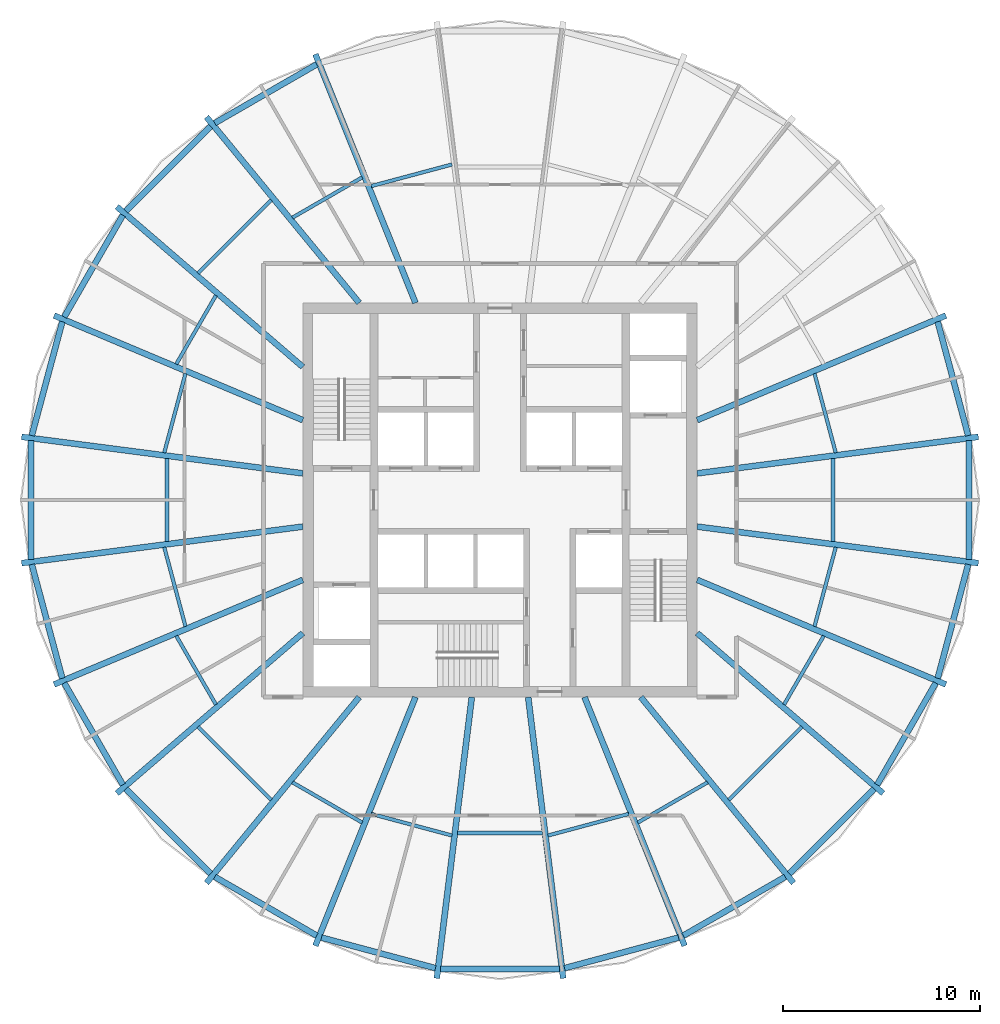
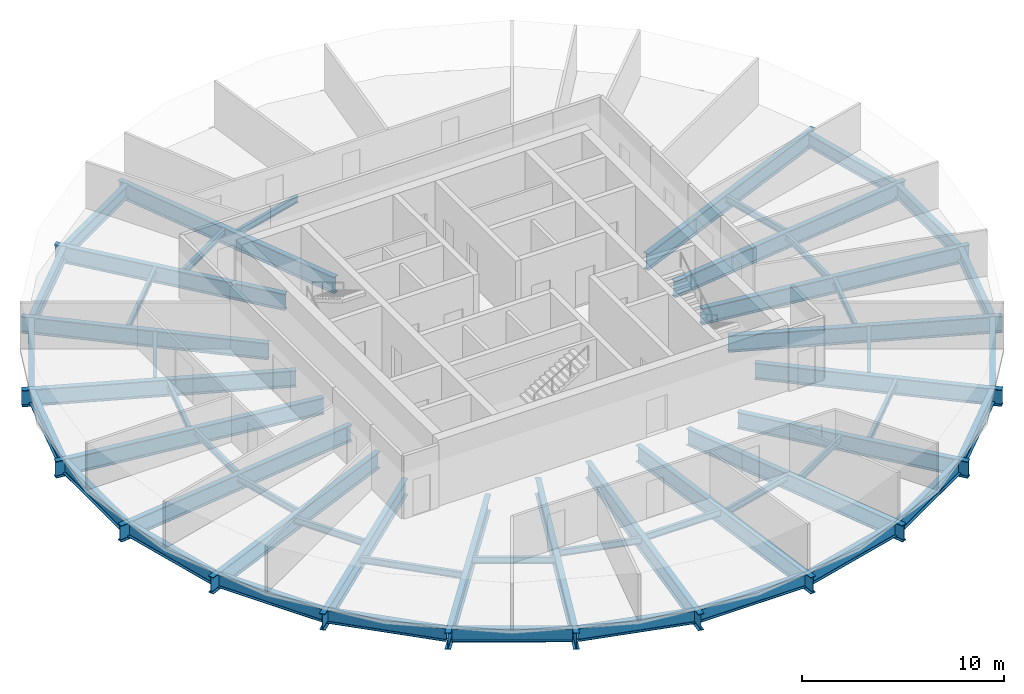
# One storey, part 1 of 6: 56 beams.
"""IFC4 building model written with IfcOpenShell, lengths in metres."""

from ifc_helpers import new_model, si_unit, direction, frame, origin, origin_2d, place, context, subcontext, project, spatial, i_section, extrude, material, material_profile, profile_set, type_object, element, save


model = new_model("IFC4")

# Units and contexts
model_context = context("Model", 3, precision=1e-05, world=origin(), true_north=direction((0.0, 1.0)))
body_context = subcontext(model_context, "Body", "Model", "MODEL_VIEW")
ifc_project = project(units=[si_unit("LENGTHUNIT", "METRE"), si_unit("AREAUNIT", "SQUARE_METRE"), si_unit("VOLUMEUNIT", "CUBIC_METRE"), si_unit("PLANEANGLEUNIT", "RADIAN"), si_unit("MASSUNIT", "GRAM", prefix="KILO")], contexts=[model_context])

# Site, building, storey
site_placement = place(None, origin())
site = spatial("IfcSite", under=ifc_project, at=site_placement, CompositionType="ELEMENT")
building_placement = place(site_placement, origin())
building = spatial("IfcBuilding", under=site, at=building_placement, Name="Golbaran Civic Tower", CompositionType="ELEMENT")
storey_placement = place(building_placement, frame((0.0, 0.0, 142.0)))
storey = spatial("IfcBuildingStorey", under=building, at=storey_placement, Name="L34", CompositionType="ELEMENT", Elevation=142.0)

# Beams
ifc_material = material(Name="Steel S355", Category="steel")
ifc_material_profile_1 = material_profile(ifc_material, i_section(OverallWidth=0.300048828125, OverallDepth=0.800048828125, WebThickness=0.017578125, FlangeThickness=0.032958984375, FilletRadius=0.030029296875, at=origin_2d()), Name="HEB 800")
ifc_profile_set_1 = profile_set([ifc_material_profile_1], Name="Steel S355")
beam_type_1 = type_object("IfcBeamType", Name="EDGE BEAM HEB 800", PredefinedType="BEAM", material=ifc_profile_set_1)
beam_1_placement = place(storey_placement, frame((23.745849609375, 3.266357421875, -0.60009765625), z_axis=(-0.258770789875, 0.965938754946, 0.0), x_axis=(-0.965938754946, -0.258770789875, 0.0)))
element("IfcBeam", 1, at=beam_1_placement, inside=storey, type_object=beam_type_1, Name="Edge beam 7.52 L34", PredefinedType="BEAM", context=body_context, shape_type="SweptSolid", body=[
    extrude(i_section(OverallWidth=0.300048828125, OverallDepth=0.800048828125, WebThickness=0.017578125, FlangeThickness=0.032958984375, FilletRadius=0.030029296875, at=origin_2d()), origin(), (0.0, 0.0, 1.0), 5.977783203125),
])
beam_2_placement = place(storey_placement, frame((-9.296142578125, 22.09326171875, -0.60009765625), z_axis=(-0.86628980393, -0.499541765628, 0.0), x_axis=(0.499541765628, -0.86628980393, 0.0)))
element("IfcBeam", 2, at=beam_2_placement, inside=storey, type_object=beam_type_1, Name="Edge beam 112.48 L34", PredefinedType="BEAM", context=body_context, shape_type="SweptSolid", body=[
    extrude(i_section(OverallWidth=0.300048828125, OverallDepth=0.800048828125, WebThickness=0.017578125, FlangeThickness=0.032958984375, FilletRadius=0.030029296875, at=origin_2d()), origin(), (0.0, 0.0, 1.0), 5.9658203125),
])
beam_3_placement = place(storey_placement, frame((-14.6708984375, 18.954833984375, -0.60009765625), z_axis=(-0.706725445566, -0.707487911267, 0.0), x_axis=(0.707487911267, -0.706725445566, 0.0)))
element("IfcBeam", 3, at=beam_3_placement, inside=storey, type_object=beam_type_1, Name="Edge beam 127.52 L34", PredefinedType="BEAM", context=body_context, shape_type="SweptSolid", body=[
    extrude(i_section(OverallWidth=0.300048828125, OverallDepth=0.800048828125, WebThickness=0.017578125, FlangeThickness=0.032958984375, FilletRadius=0.030029296875, at=origin_2d()), origin(), (0.0, 0.0, 1.0), 6.083740234375),
])
beam_4_placement = place(storey_placement, frame((-19.128662109375, 14.443603515625, -0.60009765625), z_axis=(-0.498793737577, -0.866720720505, 0.0), x_axis=(0.866720720505, -0.498793737577, 0.0)))
element("IfcBeam", 4, at=beam_4_placement, inside=storey, type_object=beam_type_1, Name="Edge beam 142.48 L34", PredefinedType="BEAM", context=body_context, shape_type="SweptSolid", body=[
    extrude(i_section(OverallWidth=0.300048828125, OverallDepth=0.800048828125, WebThickness=0.017578125, FlangeThickness=0.032958984375, FilletRadius=0.030029296875, at=origin_2d()), origin(), (0.0, 0.0, 1.0), 5.956787109375),
])
beam_5_placement = place(storey_placement, frame((-22.198974609375, 9.04052734375, -0.60009765625), z_axis=(-0.258770789875, -0.965938754946, 0.0), x_axis=(0.965938754946, -0.258770789875, 0.0)))
element("IfcBeam", 5, at=beam_5_placement, inside=storey, type_object=beam_type_1, Name="Edge beam 157.52 L34", PredefinedType="BEAM", context=body_context, shape_type="SweptSolid", body=[
    extrude(i_section(OverallWidth=0.300048828125, OverallDepth=0.800048828125, WebThickness=0.017578125, FlangeThickness=0.032958984375, FilletRadius=0.030029296875, at=origin_2d()), origin(), (0.0, 0.0, 1.0), 5.977783203125),
])
beam_6_placement = place(storey_placement, frame((-23.77978515625, 3.008544921875, -0.60009765625), z_axis=(0.0, -1.0, 0.0), x_axis=(1.0, 0.0, 0.0)))
element("IfcBeam", 6, at=beam_6_placement, inside=storey, type_object=beam_type_1, Name="Edge beam 172.48 L34", PredefinedType="BEAM", context=body_context, shape_type="SweptSolid", body=[
    extrude(i_section(OverallWidth=0.300048828125, OverallDepth=0.800048828125, WebThickness=0.017578125, FlangeThickness=0.032958984375, FilletRadius=0.030029296875, at=origin_2d()), origin(), (0.0, 0.0, 1.0), 6.01708984375),
])
beam_7_placement = place(storey_placement, frame((-23.745849609375, -3.266357421875, -0.60009765625), z_axis=(0.258770789875, -0.965938754946, 0.0), x_axis=(0.965938754946, 0.258770789875, 0.0)))
element("IfcBeam", 7, at=beam_7_placement, inside=storey, type_object=beam_type_1, Name="Edge beam 187.52 L34", PredefinedType="BEAM", context=body_context, shape_type="SweptSolid", body=[
    extrude(i_section(OverallWidth=0.300048828125, OverallDepth=0.800048828125, WebThickness=0.017578125, FlangeThickness=0.032958984375, FilletRadius=0.030029296875, at=origin_2d()), origin(), (0.0, 0.0, 1.0), 5.977783203125),
])
beam_8_placement = place(storey_placement, frame((-22.099853515625, -9.28076171875, -0.60009765625), z_axis=(0.498793737577, -0.866720720505, 0.0), x_axis=(0.866720720505, 0.498793737577, 0.0)))
element("IfcBeam", 8, at=beam_8_placement, inside=storey, type_object=beam_type_1, Name="Edge beam 202.48 L34", PredefinedType="BEAM", context=body_context, shape_type="SweptSolid", body=[
    extrude(i_section(OverallWidth=0.300048828125, OverallDepth=0.800048828125, WebThickness=0.017578125, FlangeThickness=0.032958984375, FilletRadius=0.030029296875, at=origin_2d()), origin(), (0.0, 0.0, 1.0), 5.956787109375),
])
beam_9_placement = place(storey_placement, frame((-18.970458984375, -14.650634765625, -0.60009765625), z_axis=(0.706725445566, -0.707487911267, 0.0), x_axis=(0.707487911267, 0.706725445566, 0.0)))
element("IfcBeam", 9, at=beam_9_placement, inside=storey, type_object=beam_type_1, Name="Edge beam 217.52 L34", PredefinedType="BEAM", context=body_context, shape_type="SweptSolid", body=[
    extrude(i_section(OverallWidth=0.300048828125, OverallDepth=0.800048828125, WebThickness=0.017578125, FlangeThickness=0.032958984375, FilletRadius=0.030029296875, at=origin_2d()), origin(), (0.0, 0.0, 1.0), 6.083740234375),
])
beam_10_placement = place(storey_placement, frame((-14.46435546875, -19.113037109375, -0.60009765625), z_axis=(0.86628980393, -0.499541765628, 0.0), x_axis=(0.499541765628, 0.86628980393, 0.0)))
element("IfcBeam", 10, at=beam_10_placement, inside=storey, type_object=beam_type_1, Name="Edge beam 232.48 L34", PredefinedType="BEAM", context=body_context, shape_type="SweptSolid", body=[
    extrude(i_section(OverallWidth=0.300048828125, OverallDepth=0.800048828125, WebThickness=0.017578125, FlangeThickness=0.032958984375, FilletRadius=0.030029296875, at=origin_2d()), origin(), (0.0, 0.0, 1.0), 5.9658203125),
])
beam_11_placement = place(storey_placement, frame((-9.05615234375, -22.192626953125, -0.60009765625), z_axis=(0.965826411285, -0.25918978233, 0.0), x_axis=(0.25918978233, 0.965826411285, 0.0)))
element("IfcBeam", 11, at=beam_11_placement, inside=storey, type_object=beam_type_1, Name="Edge beam 247.52 L34", PredefinedType="BEAM", context=body_context, shape_type="SweptSolid", body=[
    extrude(i_section(OverallWidth=0.300048828125, OverallDepth=0.800048828125, WebThickness=0.017578125, FlangeThickness=0.032958984375, FilletRadius=0.030029296875, at=origin_2d()), origin(), (0.0, 0.0, 1.0), 5.98876953125),
])
beam_12_placement = place(storey_placement, frame((-3.01416015625, -23.779052734375, -0.60009765625), z_axis=(1.0, 0.0, 0.0), x_axis=(0.0, 1.0, 0.0)))
element("IfcBeam", 12, at=beam_12_placement, inside=storey, type_object=beam_type_1, Name="Edge beam 262.48 L34", PredefinedType="BEAM", context=body_context, shape_type="SweptSolid", body=[
    extrude(i_section(OverallWidth=0.300048828125, OverallDepth=0.800048828125, WebThickness=0.017578125, FlangeThickness=0.032958984375, FilletRadius=0.030029296875, at=origin_2d()), origin(), (0.0, 0.0, 1.0), 6.0283203125),
])
beam_13_placement = place(storey_placement, frame((3.27197265625, -23.744873046875, -0.60009765625), z_axis=(0.965826411285, 0.25918978233, 0.0), x_axis=(-0.25918978233, 0.965826411285, 0.0)))
element("IfcBeam", 13, at=beam_13_placement, inside=storey, type_object=beam_type_1, Name="Edge beam 277.52 L34", PredefinedType="BEAM", context=body_context, shape_type="SweptSolid", body=[
    extrude(i_section(OverallWidth=0.300048828125, OverallDepth=0.800048828125, WebThickness=0.017578125, FlangeThickness=0.032958984375, FilletRadius=0.030029296875, at=origin_2d()), origin(), (0.0, 0.0, 1.0), 5.98876953125),
])
beam_14_placement = place(storey_placement, frame((9.296142578125, -22.09326171875, -0.60009765625), z_axis=(0.86628980393, 0.499541765628, 0.0), x_axis=(-0.499541765628, 0.86628980393, 0.0)))
element("IfcBeam", 14, at=beam_14_placement, inside=storey, type_object=beam_type_1, Name="Edge beam 292.48 L34", PredefinedType="BEAM", context=body_context, shape_type="SweptSolid", body=[
    extrude(i_section(OverallWidth=0.300048828125, OverallDepth=0.800048828125, WebThickness=0.017578125, FlangeThickness=0.032958984375, FilletRadius=0.030029296875, at=origin_2d()), origin(), (0.0, 0.0, 1.0), 5.9658203125),
])
beam_15_placement = place(storey_placement, frame((14.6708984375, -18.954833984375, -0.60009765625), z_axis=(0.706725445566, 0.707487911267, 0.0), x_axis=(-0.707487911267, 0.706725445566, 0.0)))
element("IfcBeam", 15, at=beam_15_placement, inside=storey, type_object=beam_type_1, Name="Edge beam 307.52 L34", PredefinedType="BEAM", context=body_context, shape_type="SweptSolid", body=[
    extrude(i_section(OverallWidth=0.300048828125, OverallDepth=0.800048828125, WebThickness=0.017578125, FlangeThickness=0.032958984375, FilletRadius=0.030029296875, at=origin_2d()), origin(), (0.0, 0.0, 1.0), 6.083740234375),
])
beam_16_placement = place(storey_placement, frame((19.128662109375, -14.443603515625, -0.60009765625), z_axis=(0.498793737577, 0.866720720505, 0.0), x_axis=(-0.866720720505, 0.498793737577, 0.0)))
element("IfcBeam", 16, at=beam_16_placement, inside=storey, type_object=beam_type_1, Name="Edge beam 322.48 L34", PredefinedType="BEAM", context=body_context, shape_type="SweptSolid", body=[
    extrude(i_section(OverallWidth=0.300048828125, OverallDepth=0.800048828125, WebThickness=0.017578125, FlangeThickness=0.032958984375, FilletRadius=0.030029296875, at=origin_2d()), origin(), (0.0, 0.0, 1.0), 5.956787109375),
])
beam_17_placement = place(storey_placement, frame((22.198974609375, -9.04052734375, -0.60009765625), z_axis=(0.258770789875, 0.965938754946, 0.0), x_axis=(-0.965938754946, 0.258770789875, 0.0)))
element("IfcBeam", 17, at=beam_17_placement, inside=storey, type_object=beam_type_1, Name="Edge beam 337.52 L34", PredefinedType="BEAM", context=body_context, shape_type="SweptSolid", body=[
    extrude(i_section(OverallWidth=0.300048828125, OverallDepth=0.800048828125, WebThickness=0.017578125, FlangeThickness=0.032958984375, FilletRadius=0.030029296875, at=origin_2d()), origin(), (0.0, 0.0, 1.0), 5.977783203125),
])
beam_18_placement = place(storey_placement, frame((23.77978515625, -3.008544921875, -0.60009765625), z_axis=(0.0, 1.0, 0.0), x_axis=(-1.0, 0.0, 0.0)))
element("IfcBeam", 18, at=beam_18_placement, inside=storey, type_object=beam_type_1, Name="Edge beam 352.48 L34", PredefinedType="BEAM", context=body_context, shape_type="SweptSolid", body=[
    extrude(i_section(OverallWidth=0.300048828125, OverallDepth=0.800048828125, WebThickness=0.017578125, FlangeThickness=0.032958984375, FilletRadius=0.030029296875, at=origin_2d()), origin(), (0.0, 0.0, 1.0), 6.01708984375),
])
ifc_material_profile_2 = material_profile(ifc_material, i_section(OverallWidth=0.179931640625, OverallDepth=0.39990234375, WebThickness=0.008544921875, FlangeThickness=0.013427734375, FilletRadius=0.02099609375, at=origin_2d()), Name="IPE 400")
ifc_profile_set_2 = profile_set([ifc_material_profile_2], Name="Steel S355")
beam_type_2 = type_object("IfcBeamType", Name="FLOOR INFILL BEAM IPE 400", PredefinedType="BEAM", material=ifc_profile_set_2)
beam_19_placement = place(storey_placement, frame((17.028076171875, 2.393798828125, -0.39990234375), z_axis=(-0.258794750904, 0.965932335573, 0.0), x_axis=(-0.965932335573, -0.258794750904, 0.0)))
element("IfcBeam", 19, at=beam_19_placement, inside=storey, type_object=beam_type_2, Name="Infill beam 15.00 L34", PredefinedType="BEAM", context=body_context, shape_type="SweptSolid", body=[
    extrude(i_section(OverallWidth=0.179931640625, OverallDepth=0.39990234375, WebThickness=0.008544921875, FlangeThickness=0.013427734375, FilletRadius=0.02099609375, at=origin_2d()), origin(), (0.0, 0.0, 1.0), 4.160400390625),
])
beam_20_placement = place(storey_placement, frame((-2.433837890625, 17.01708984375, -0.39990234375), z_axis=(-0.965927491023, -0.25881283215, 0.0), x_axis=(0.25881283215, -0.965927491023, 0.0)))
element("IfcBeam", 20, at=beam_20_placement, inside=storey, type_object=beam_type_2, Name="Infill beam 105.00 L34", PredefinedType="BEAM", context=body_context, shape_type="SweptSolid", body=[
    extrude(i_section(OverallWidth=0.179931640625, OverallDepth=0.39990234375, WebThickness=0.008544921875, FlangeThickness=0.013427734375, FilletRadius=0.02099609375, at=origin_2d()), origin(), (0.0, 0.0, 1.0), 4.240234375),
])
beam_21_placement = place(storey_placement, frame((-6.988525390625, 16.363037109375, -0.39990234375), z_axis=(-0.866016362635, -0.500015659404, 0.0), x_axis=(0.500015659404, -0.866016362635, 0.0)))
element("IfcBeam", 21, at=beam_21_placement, inside=storey, type_object=beam_type_2, Name="Infill beam 120.00 L34", PredefinedType="BEAM", context=body_context, shape_type="SweptSolid", body=[
    extrude(i_section(OverallWidth=0.179931640625, OverallDepth=0.39990234375, WebThickness=0.008544921875, FlangeThickness=0.013427734375, FilletRadius=0.02099609375, at=origin_2d()), origin(), (0.0, 0.0, 1.0), 4.084228515625),
])
beam_22_placement = place(storey_placement, frame((-11.596923828125, 15.21484375, -0.39990234375), z_axis=(-0.707106781187, -0.707106781187, 0.0), x_axis=(0.707106781187, -0.707106781187, 0.0)))
element("IfcBeam", 22, at=beam_22_placement, inside=storey, type_object=beam_type_2, Name="Infill beam 135.00 L34", PredefinedType="BEAM", context=body_context, shape_type="SweptSolid", body=[
    extrude(i_section(OverallWidth=0.179931640625, OverallDepth=0.39990234375, WebThickness=0.008544921875, FlangeThickness=0.013427734375, FilletRadius=0.02099609375, at=origin_2d()), origin(), (0.0, 0.0, 1.0), 5.2548828125),
])
beam_23_placement = place(storey_placement, frame((-14.407470703125, 10.3759765625, -0.39990234375), z_axis=(-0.500021824959, -0.866012802772, 0.0), x_axis=(0.866012802772, -0.500021824959, 0.0)))
element("IfcBeam", 23, at=beam_23_placement, inside=storey, type_object=beam_type_2, Name="Infill beam 150.00 L34", PredefinedType="BEAM", context=body_context, shape_type="SweptSolid", body=[
    extrude(i_section(OverallWidth=0.179931640625, OverallDepth=0.39990234375, WebThickness=0.008544921875, FlangeThickness=0.013427734375, FilletRadius=0.02099609375, at=origin_2d()), origin(), (0.0, 0.0, 1.0), 4.023681640625),
])
beam_24_placement = place(storey_placement, frame((-15.951416015625, 6.412353515625, -0.39990234375), z_axis=(-0.258794750904, -0.965932335573, 0.0), x_axis=(0.965932335573, -0.258794750904, 0.0)))
element("IfcBeam", 24, at=beam_24_placement, inside=storey, type_object=beam_type_2, Name="Infill beam 165.00 L34", PredefinedType="BEAM", context=body_context, shape_type="SweptSolid", body=[
    extrude(i_section(OverallWidth=0.179931640625, OverallDepth=0.39990234375, WebThickness=0.008544921875, FlangeThickness=0.013427734375, FilletRadius=0.02099609375, at=origin_2d()), origin(), (0.0, 0.0, 1.0), 4.160400390625),
])
beam_25_placement = place(storey_placement, frame((-16.889892578125, 2.11376953125, -0.39990234375), z_axis=(0.0, -1.0, 0.0), x_axis=(1.0, 0.0, 0.0)))
element("IfcBeam", 25, at=beam_25_placement, inside=storey, type_object=beam_type_2, Name="Infill beam 180.00 L34", PredefinedType="BEAM", context=body_context, shape_type="SweptSolid", body=[
    extrude(i_section(OverallWidth=0.179931640625, OverallDepth=0.39990234375, WebThickness=0.008544921875, FlangeThickness=0.013427734375, FilletRadius=0.02099609375, at=origin_2d()), origin(), (0.0, 0.0, 1.0), 4.2275390625),
])
beam_26_placement = place(storey_placement, frame((-17.028076171875, -2.393798828125, -0.39990234375), z_axis=(0.258794750904, -0.965932335573, 0.0), x_axis=(0.965932335573, 0.258794750904, 0.0)))
element("IfcBeam", 26, at=beam_26_placement, inside=storey, type_object=beam_type_2, Name="Infill beam 195.00 L34", PredefinedType="BEAM", context=body_context, shape_type="SweptSolid", body=[
    extrude(i_section(OverallWidth=0.179931640625, OverallDepth=0.39990234375, WebThickness=0.008544921875, FlangeThickness=0.013427734375, FilletRadius=0.02099609375, at=origin_2d()), origin(), (0.0, 0.0, 1.0), 4.160400390625),
])
beam_27_placement = place(storey_placement, frame((-16.41943359375, -6.891357421875, -0.39990234375), z_axis=(0.500021824959, -0.866012802772, 0.0), x_axis=(0.866012802772, 0.500021824959, 0.0)))
element("IfcBeam", 27, at=beam_27_placement, inside=storey, type_object=beam_type_2, Name="Infill beam 210.00 L34", PredefinedType="BEAM", context=body_context, shape_type="SweptSolid", body=[
    extrude(i_section(OverallWidth=0.179931640625, OverallDepth=0.39990234375, WebThickness=0.008544921875, FlangeThickness=0.013427734375, FilletRadius=0.02099609375, at=origin_2d()), origin(), (0.0, 0.0, 1.0), 4.023681640625),
])
beam_28_placement = place(storey_placement, frame((-15.312744140625, -11.4990234375, -0.39990234375), z_axis=(0.707106781187, -0.707106781187, 0.0), x_axis=(0.707106781187, 0.707106781187, 0.0)))
element("IfcBeam", 28, at=beam_28_placement, inside=storey, type_object=beam_type_2, Name="Infill beam 225.00 L34", PredefinedType="BEAM", context=body_context, shape_type="SweptSolid", body=[
    extrude(i_section(OverallWidth=0.179931640625, OverallDepth=0.39990234375, WebThickness=0.008544921875, FlangeThickness=0.013427734375, FilletRadius=0.02099609375, at=origin_2d()), origin(), (0.0, 0.0, 1.0), 5.2548828125),
])
beam_29_placement = place(storey_placement, frame((-10.525634765625, -14.32080078125, -0.39990234375), z_axis=(0.866016362635, -0.500015659404, 0.0), x_axis=(0.500015659404, 0.866016362635, 0.0)))
element("IfcBeam", 29, at=beam_29_placement, inside=storey, type_object=beam_type_2, Name="Infill beam 240.00 L34", PredefinedType="BEAM", context=body_context, shape_type="SweptSolid", body=[
    extrude(i_section(OverallWidth=0.179931640625, OverallDepth=0.39990234375, WebThickness=0.008544921875, FlangeThickness=0.013427734375, FilletRadius=0.02099609375, at=origin_2d()), origin(), (0.0, 0.0, 1.0), 4.084228515625),
])
beam_30_placement = place(storey_placement, frame((-6.529541015625, -15.919677734375, -0.39990234375), z_axis=(0.965927491023, -0.25881283215, 0.0), x_axis=(0.25881283215, 0.965927491023, 0.0)))
element("IfcBeam", 30, at=beam_30_placement, inside=storey, type_object=beam_type_2, Name="Infill beam 255.00 L34", PredefinedType="BEAM", context=body_context, shape_type="SweptSolid", body=[
    extrude(i_section(OverallWidth=0.179931640625, OverallDepth=0.39990234375, WebThickness=0.008544921875, FlangeThickness=0.013427734375, FilletRadius=0.02099609375, at=origin_2d()), origin(), (0.0, 0.0, 1.0), 4.240234375),
])
beam_31_placement = place(storey_placement, frame((-2.15576171875, -16.889404296875, -0.39990234375), z_axis=(1.0, 0.0, 0.0), x_axis=(0.0, 1.0, 0.0)))
element("IfcBeam", 31, at=beam_31_placement, inside=storey, type_object=beam_type_2, Name="Infill beam 270.00 L34", PredefinedType="BEAM", context=body_context, shape_type="SweptSolid", body=[
    extrude(i_section(OverallWidth=0.179931640625, OverallDepth=0.39990234375, WebThickness=0.008544921875, FlangeThickness=0.013427734375, FilletRadius=0.02099609375, at=origin_2d()), origin(), (0.0, 0.0, 1.0), 4.3115234375),
])
beam_32_placement = place(storey_placement, frame((2.433837890625, -17.01708984375, -0.39990234375), z_axis=(0.965927491023, 0.25881283215, 0.0), x_axis=(-0.25881283215, 0.965927491023, 0.0)))
element("IfcBeam", 32, at=beam_32_placement, inside=storey, type_object=beam_type_2, Name="Infill beam 285.00 L34", PredefinedType="BEAM", context=body_context, shape_type="SweptSolid", body=[
    extrude(i_section(OverallWidth=0.179931640625, OverallDepth=0.39990234375, WebThickness=0.008544921875, FlangeThickness=0.013427734375, FilletRadius=0.02099609375, at=origin_2d()), origin(), (0.0, 0.0, 1.0), 4.240234375),
])
beam_33_placement = place(storey_placement, frame((6.988525390625, -16.363037109375, -0.39990234375), z_axis=(0.866016362635, 0.500015659404, 0.0), x_axis=(-0.500015659404, 0.866016362635, 0.0)))
element("IfcBeam", 33, at=beam_33_placement, inside=storey, type_object=beam_type_2, Name="Infill beam 300.00 L34", PredefinedType="BEAM", context=body_context, shape_type="SweptSolid", body=[
    extrude(i_section(OverallWidth=0.179931640625, OverallDepth=0.39990234375, WebThickness=0.008544921875, FlangeThickness=0.013427734375, FilletRadius=0.02099609375, at=origin_2d()), origin(), (0.0, 0.0, 1.0), 4.084228515625),
])
beam_34_placement = place(storey_placement, frame((11.596923828125, -15.21484375, -0.39990234375), z_axis=(0.707106781187, 0.707106781187, 0.0), x_axis=(-0.707106781187, 0.707106781187, 0.0)))
element("IfcBeam", 34, at=beam_34_placement, inside=storey, type_object=beam_type_2, Name="Infill beam 315.00 L34", PredefinedType="BEAM", context=body_context, shape_type="SweptSolid", body=[
    extrude(i_section(OverallWidth=0.179931640625, OverallDepth=0.39990234375, WebThickness=0.008544921875, FlangeThickness=0.013427734375, FilletRadius=0.02099609375, at=origin_2d()), origin(), (0.0, 0.0, 1.0), 5.2548828125),
])
beam_35_placement = place(storey_placement, frame((14.407470703125, -10.3759765625, -0.39990234375), z_axis=(0.500021824959, 0.866012802772, 0.0), x_axis=(-0.866012802772, 0.500021824959, 0.0)))
element("IfcBeam", 35, at=beam_35_placement, inside=storey, type_object=beam_type_2, Name="Infill beam 330.00 L34", PredefinedType="BEAM", context=body_context, shape_type="SweptSolid", body=[
    extrude(i_section(OverallWidth=0.179931640625, OverallDepth=0.39990234375, WebThickness=0.008544921875, FlangeThickness=0.013427734375, FilletRadius=0.02099609375, at=origin_2d()), origin(), (0.0, 0.0, 1.0), 4.023681640625),
])
beam_36_placement = place(storey_placement, frame((15.951416015625, -6.412353515625, -0.39990234375), z_axis=(0.258794750904, 0.965932335573, 0.0), x_axis=(-0.965932335573, 0.258794750904, 0.0)))
element("IfcBeam", 36, at=beam_36_placement, inside=storey, type_object=beam_type_2, Name="Infill beam 345.00 L34", PredefinedType="BEAM", context=body_context, shape_type="SweptSolid", body=[
    extrude(i_section(OverallWidth=0.179931640625, OverallDepth=0.39990234375, WebThickness=0.008544921875, FlangeThickness=0.013427734375, FilletRadius=0.02099609375, at=origin_2d()), origin(), (0.0, 0.0, 1.0), 4.160400390625),
])
beam_37_placement = place(storey_placement, frame((16.889892578125, -2.11376953125, -0.39990234375), z_axis=(0.0, 1.0, 0.0), x_axis=(-1.0, 0.0, 0.0)))
element("IfcBeam", 37, at=beam_37_placement, inside=storey, type_object=beam_type_2, Name="Infill beam 0.00 L34", PredefinedType="BEAM", context=body_context, shape_type="SweptSolid", body=[
    extrude(i_section(OverallWidth=0.179931640625, OverallDepth=0.39990234375, WebThickness=0.008544921875, FlangeThickness=0.013427734375, FilletRadius=0.02099609375, at=origin_2d()), origin(), (0.0, 0.0, 1.0), 4.2275390625),
])
ifc_material_profile_3 = material_profile(ifc_material, i_section(OverallWidth=0.300048828125, OverallDepth=1.0, WebThickness=0.01904296875, FlangeThickness=0.035888671875, FilletRadius=0.030029296875, at=origin_2d()), Name="HEB 1000")
ifc_profile_set_3 = profile_set([ifc_material_profile_3], Name="Steel S355")
beam_type_3 = type_object("IfcBeamType", Name="RADIAL FLOOR BEAM HEB 1000", PredefinedType="BEAM", material=ifc_profile_set_3)
beam_38_placement = place(storey_placement, frame((10.0, 1.35009765625, -0.7099609375), z_axis=(0.991673622266, 0.128776655109, 0.0), x_axis=(-0.128776655109, 0.991673622266, 0.0)))
element("IfcBeam", 38, at=beam_38_placement, inside=storey, type_object=beam_type_3, Name="Radial beam 7.52 L34", PredefinedType="BEAM", context=body_context, shape_type="SweptSolid", body=[
    extrude(i_section(OverallWidth=0.300048828125, OverallDepth=1.0, WebThickness=0.01904296875, FlangeThickness=0.035888671875, FilletRadius=0.030029296875, at=origin_2d()), origin(), (0.0, 0.0, 1.0), 14.3798828125),
])
beam_39_placement = place(storey_placement, frame((10.0, 4.050048828125, -0.7099609375), z_axis=(0.921774035904, 0.38772751609, 0.0), x_axis=(-0.38772751609, 0.921774035904, 0.0)))
element("IfcBeam", 39, at=beam_39_placement, inside=storey, type_object=beam_type_3, Name="Radial beam 22.48 L34", PredefinedType="BEAM", context=body_context, shape_type="SweptSolid", body=[
    extrude(i_section(OverallWidth=0.300048828125, OverallDepth=1.0, WebThickness=0.01904296875, FlangeThickness=0.035888671875, FilletRadius=0.030029296875, at=origin_2d()), origin(), (0.0, 0.0, 1.0), 13.68212890625),
])
beam_40_placement = place(storey_placement, frame((-4.28564453125, 10.0, -0.7099609375), z_axis=(-0.373585300299, 0.927595829767, 0.0), x_axis=(-0.927595829767, -0.373585300299, 0.0)))
element("IfcBeam", 40, at=beam_40_placement, inside=storey, type_object=beam_type_3, Name="Radial beam 112.48 L34", PredefinedType="BEAM", context=body_context, shape_type="SweptSolid", body=[
    extrude(i_section(OverallWidth=0.300048828125, OverallDepth=1.0, WebThickness=0.01904296875, FlangeThickness=0.035888671875, FilletRadius=0.030029296875, at=origin_2d()), origin(), (0.0, 0.0, 1.0), 13.59228515625),
])
beam_41_placement = place(storey_placement, frame((-7.142822265625, 10.0, -0.7099609375), z_axis=(-0.634945598952, 0.772556849928, 0.0), x_axis=(-0.772556849928, -0.634945598952, 0.0)))
element("IfcBeam", 41, at=beam_41_placement, inside=storey, type_object=beam_type_3, Name="Radial beam 127.52 L34", PredefinedType="BEAM", context=body_context, shape_type="SweptSolid", body=[
    extrude(i_section(OverallWidth=0.300048828125, OverallDepth=1.0, WebThickness=0.01904296875, FlangeThickness=0.035888671875, FilletRadius=0.030029296875, at=origin_2d()), origin(), (0.0, 0.0, 1.0), 12.1953125),
])
beam_42_placement = place(storey_placement, frame((-10.0, 6.75, -0.7099609375), z_axis=(-0.757588545907, 0.652732406971, 0.0), x_axis=(-0.652732406971, -0.757588545907, 0.0)))
element("IfcBeam", 42, at=beam_42_placement, inside=storey, type_object=beam_type_3, Name="Radial beam 142.48 L34", PredefinedType="BEAM", context=body_context, shape_type="SweptSolid", body=[
    extrude(i_section(OverallWidth=0.300048828125, OverallDepth=1.0, WebThickness=0.01904296875, FlangeThickness=0.035888671875, FilletRadius=0.030029296875, at=origin_2d()), origin(), (0.0, 0.0, 1.0), 12.447265625),
])
beam_43_placement = place(storey_placement, frame((-10.0, 4.050048828125, -0.7099609375), z_axis=(-0.921774035904, 0.38772751609, 0.0), x_axis=(-0.38772751609, -0.921774035904, 0.0)))
element("IfcBeam", 43, at=beam_43_placement, inside=storey, type_object=beam_type_3, Name="Radial beam 157.52 L34", PredefinedType="BEAM", context=body_context, shape_type="SweptSolid", body=[
    extrude(i_section(OverallWidth=0.300048828125, OverallDepth=1.0, WebThickness=0.01904296875, FlangeThickness=0.035888671875, FilletRadius=0.030029296875, at=origin_2d()), origin(), (0.0, 0.0, 1.0), 13.68212890625),
])
for number, where, z_axis, x_axis, name in (
    (44, (-10.0, 1.35009765625, -0.7099609375), (-0.991673622266, 0.128776655109, 0.0), (-0.128776655109, -0.991673622266, 0.0), "Radial beam 172.48 L34"),
    (45, (-10.0, -1.35009765625, -0.7099609375), (-0.991673622266, -0.128776655109, 0.0), (0.128776655109, -0.991673622266, 0.0), "Radial beam 187.52 L34"),
):
    element("IfcBeam", number, at=place(storey_placement, frame(where, z_axis=z_axis, x_axis=x_axis)), inside=storey, type_object=beam_type_3, Name=name, PredefinedType="BEAM", context=body_context, shape_type="SweptSolid", body=[
        extrude(i_section(OverallWidth=0.300048828125, OverallDepth=1.0, WebThickness=0.01904296875, FlangeThickness=0.035888671875, FilletRadius=0.030029296875, at=origin_2d()), origin(), (0.0, 0.0, 1.0), 14.3798828125),
    ])
beam_44_placement = place(storey_placement, frame((-10.0, -4.050048828125, -0.7099609375), z_axis=(-0.921774035904, -0.38772751609, 0.0), x_axis=(0.38772751609, -0.921774035904, 0.0)))
element("IfcBeam", 46, at=beam_44_placement, inside=storey, type_object=beam_type_3, Name="Radial beam 202.48 L34", PredefinedType="BEAM", context=body_context, shape_type="SweptSolid", body=[
    extrude(i_section(OverallWidth=0.300048828125, OverallDepth=1.0, WebThickness=0.01904296875, FlangeThickness=0.035888671875, FilletRadius=0.030029296875, at=origin_2d()), origin(), (0.0, 0.0, 1.0), 13.68212890625),
])
beam_45_placement = place(storey_placement, frame((-10.0, -6.75, -0.7099609375), z_axis=(-0.757588545907, -0.652732406971, 0.0), x_axis=(0.652732406971, -0.757588545907, 0.0)))
element("IfcBeam", 47, at=beam_45_placement, inside=storey, type_object=beam_type_3, Name="Radial beam 217.52 L34", PredefinedType="BEAM", context=body_context, shape_type="SweptSolid", body=[
    extrude(i_section(OverallWidth=0.300048828125, OverallDepth=1.0, WebThickness=0.01904296875, FlangeThickness=0.035888671875, FilletRadius=0.030029296875, at=origin_2d()), origin(), (0.0, 0.0, 1.0), 12.447265625),
])
beam_46_placement = place(storey_placement, frame((-7.142822265625, -10.0, -0.7099609375), z_axis=(-0.634945598952, -0.772556849928, 0.0), x_axis=(0.772556849928, -0.634945598952, 0.0)))
element("IfcBeam", 48, at=beam_46_placement, inside=storey, type_object=beam_type_3, Name="Radial beam 232.48 L34", PredefinedType="BEAM", context=body_context, shape_type="SweptSolid", body=[
    extrude(i_section(OverallWidth=0.300048828125, OverallDepth=1.0, WebThickness=0.01904296875, FlangeThickness=0.035888671875, FilletRadius=0.030029296875, at=origin_2d()), origin(), (0.0, 0.0, 1.0), 12.1953125),
])
beam_47_placement = place(storey_placement, frame((-4.28564453125, -10.0, -0.7099609375), z_axis=(-0.373585300299, -0.927595829767, 0.0), x_axis=(0.927595829767, -0.373585300299, 0.0)))
element("IfcBeam", 49, at=beam_47_placement, inside=storey, type_object=beam_type_3, Name="Radial beam 247.52 L34", PredefinedType="BEAM", context=body_context, shape_type="SweptSolid", body=[
    extrude(i_section(OverallWidth=0.300048828125, OverallDepth=1.0, WebThickness=0.01904296875, FlangeThickness=0.035888671875, FilletRadius=0.030029296875, at=origin_2d()), origin(), (0.0, 0.0, 1.0), 13.59228515625),
])
for number, where, z_axis, x_axis, name in (
    (50, (-1.428466796875, -10.0, -0.7099609375), (-0.123633247353, -0.99232798013, 0.0), (0.99232798013, -0.123633247353, 0.0), "Radial beam 262.48 L34"),
    (51, (1.428466796875, -10.0, -0.7099609375), (0.123633247353, -0.99232798013, 0.0), (0.99232798013, 0.123633247353, 0.0), "Radial beam 277.52 L34"),
):
    element("IfcBeam", number, at=place(storey_placement, frame(where, z_axis=z_axis, x_axis=x_axis)), inside=storey, type_object=beam_type_3, Name=name, PredefinedType="BEAM", context=body_context, shape_type="SweptSolid", body=[
        extrude(i_section(OverallWidth=0.300048828125, OverallDepth=1.0, WebThickness=0.01904296875, FlangeThickness=0.035888671875, FilletRadius=0.030029296875, at=origin_2d()), origin(), (0.0, 0.0, 1.0), 14.3701171875),
    ])
beam_48_placement = place(storey_placement, frame((4.28564453125, -10.0, -0.7099609375), z_axis=(0.373585300299, -0.927595829767, 0.0), x_axis=(0.927595829767, 0.373585300299, 0.0)))
element("IfcBeam", 52, at=beam_48_placement, inside=storey, type_object=beam_type_3, Name="Radial beam 292.48 L34", PredefinedType="BEAM", context=body_context, shape_type="SweptSolid", body=[
    extrude(i_section(OverallWidth=0.300048828125, OverallDepth=1.0, WebThickness=0.01904296875, FlangeThickness=0.035888671875, FilletRadius=0.030029296875, at=origin_2d()), origin(), (0.0, 0.0, 1.0), 13.59228515625),
])
beam_49_placement = place(storey_placement, frame((7.142822265625, -10.0, -0.7099609375), z_axis=(0.634945598952, -0.772556849928, 0.0), x_axis=(0.772556849928, 0.634945598952, 0.0)))
element("IfcBeam", 53, at=beam_49_placement, inside=storey, type_object=beam_type_3, Name="Radial beam 307.52 L34", PredefinedType="BEAM", context=body_context, shape_type="SweptSolid", body=[
    extrude(i_section(OverallWidth=0.300048828125, OverallDepth=1.0, WebThickness=0.01904296875, FlangeThickness=0.035888671875, FilletRadius=0.030029296875, at=origin_2d()), origin(), (0.0, 0.0, 1.0), 12.1953125),
])
beam_50_placement = place(storey_placement, frame((10.0, -6.75, -0.7099609375), z_axis=(0.757588545907, -0.652732406971, 0.0), x_axis=(0.652732406971, 0.757588545907, 0.0)))
element("IfcBeam", 54, at=beam_50_placement, inside=storey, type_object=beam_type_3, Name="Radial beam 322.48 L34", PredefinedType="BEAM", context=body_context, shape_type="SweptSolid", body=[
    extrude(i_section(OverallWidth=0.300048828125, OverallDepth=1.0, WebThickness=0.01904296875, FlangeThickness=0.035888671875, FilletRadius=0.030029296875, at=origin_2d()), origin(), (0.0, 0.0, 1.0), 12.447265625),
])
beam_51_placement = place(storey_placement, frame((10.0, -4.050048828125, -0.7099609375), z_axis=(0.921774035904, -0.38772751609, 0.0), x_axis=(0.38772751609, 0.921774035904, 0.0)))
element("IfcBeam", 55, at=beam_51_placement, inside=storey, type_object=beam_type_3, Name="Radial beam 337.52 L34", PredefinedType="BEAM", context=body_context, shape_type="SweptSolid", body=[
    extrude(i_section(OverallWidth=0.300048828125, OverallDepth=1.0, WebThickness=0.01904296875, FlangeThickness=0.035888671875, FilletRadius=0.030029296875, at=origin_2d()), origin(), (0.0, 0.0, 1.0), 13.68212890625),
])
beam_52_placement = place(storey_placement, frame((10.0, -1.35009765625, -0.7099609375), z_axis=(0.991673622266, -0.128776655109, 0.0), x_axis=(0.128776655109, 0.991673622266, 0.0)))
element("IfcBeam", 56, at=beam_52_placement, inside=storey, type_object=beam_type_3, Name="Radial beam 352.48 L34", PredefinedType="BEAM", context=body_context, shape_type="SweptSolid", body=[
    extrude(i_section(OverallWidth=0.300048828125, OverallDepth=1.0, WebThickness=0.01904296875, FlangeThickness=0.035888671875, FilletRadius=0.030029296875, at=origin_2d()), origin(), (0.0, 0.0, 1.0), 14.3798828125),
])

save(model, "model.ifc")
